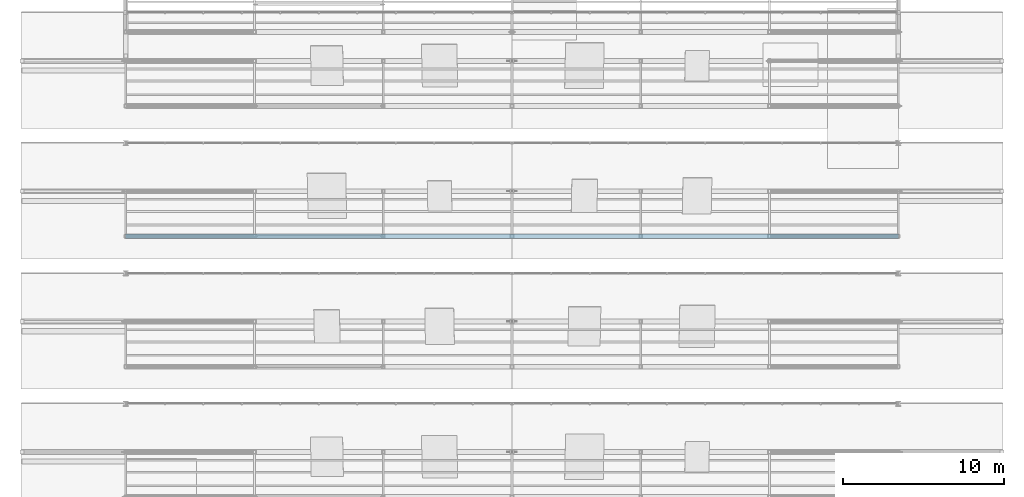
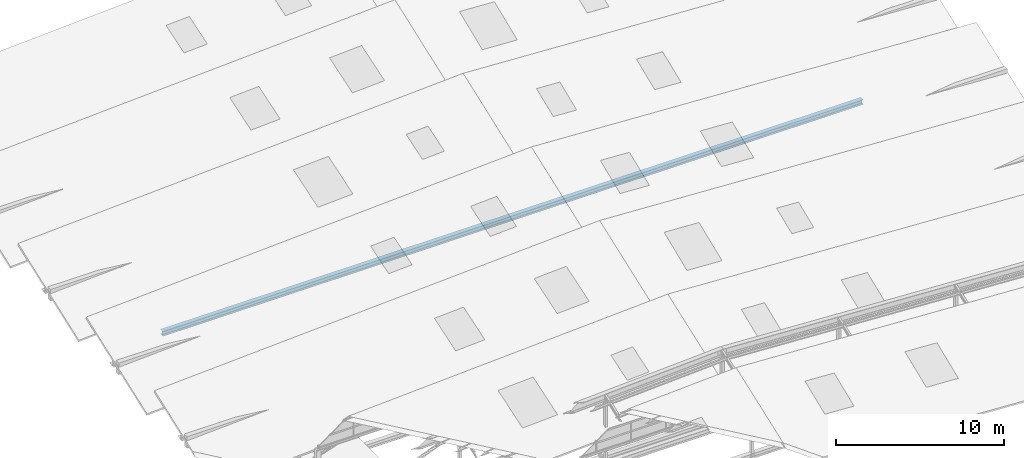
# One storey, part 81 of 141: 1 member.
"""IFC4 building model written with IfcOpenShell, lengths in metres."""

from ifc_helpers import new_model, si_unit, direction, frame, origin, origin_2d, place, context, subcontext, project, spatial, i_section, extrude, material, material_profile, profile_set, type_object, element, save


model = new_model("IFC4")

# Units and contexts
model_context = context("Model", 3, precision=1e-05, world=origin(), true_north=direction((0.0, 1.0)))
body_context = subcontext(model_context, "Body", "Model", "MODEL_VIEW")
ifc_project = project(units=[si_unit("LENGTHUNIT", "METRE"), si_unit("AREAUNIT", "SQUARE_METRE"), si_unit("VOLUMEUNIT", "CUBIC_METRE"), si_unit("PLANEANGLEUNIT", "RADIAN"), si_unit("MASSUNIT", "GRAM", prefix="KILO")], contexts=[model_context])

# Site, building, storey
site_placement = place(None, origin())
site = spatial("IfcSite", under=ifc_project, at=site_placement, CompositionType="ELEMENT")
building_placement = place(site_placement, origin())
building = spatial("IfcBuilding", under=site, at=building_placement, Name="Sundkrona Museum", CompositionType="ELEMENT")
storey_placement = place(building_placement, frame((0.0, 0.0, 34.0)))
storey = spatial("IfcBuildingStorey", under=building, at=storey_placement, Name="RF", CompositionType="ELEMENT", Elevation=34.0)

# Member
ifc_material = material(Name="Steel S355J2", Category="steel")
ifc_material_profile = material_profile(ifc_material, i_section(OverallWidth=0.300048828125, OverallDepth=0.35009765625, WebThickness=0.010009765625, FlangeThickness=0.017578125, FilletRadius=0.027099609375, at=origin_2d()), Name="HEA 360")
ifc_profile_set = profile_set([ifc_material_profile], Name="Steel S355J2")
member_type = type_object("IfcMemberType", Name="TC-HEA360", PredefinedType="CHORD", material=ifc_profile_set)
member_placement = place(storey_placement, frame((120.0, 28.800048828125, -0.25), z_axis=(1.0, 0.0, 0.0), x_axis=(0.0, 1.0, 0.0)))
element("IfcMember", 1, at=member_placement, inside=storey, type_object=member_type, Name="RFS-1 Sawtooth Valley Truss 5 Bottom Chord", PredefinedType="CHORD", context=body_context, shape_type="SweptSolid", body=[
    extrude(i_section(OverallWidth=0.300048828125, OverallDepth=0.35009765625, WebThickness=0.010009765625, FlangeThickness=0.017578125, FilletRadius=0.027099609375, at=origin_2d()), origin(), (0.0, 0.0, 1.0), 48.0),
])

save(model, "model.ifc")
